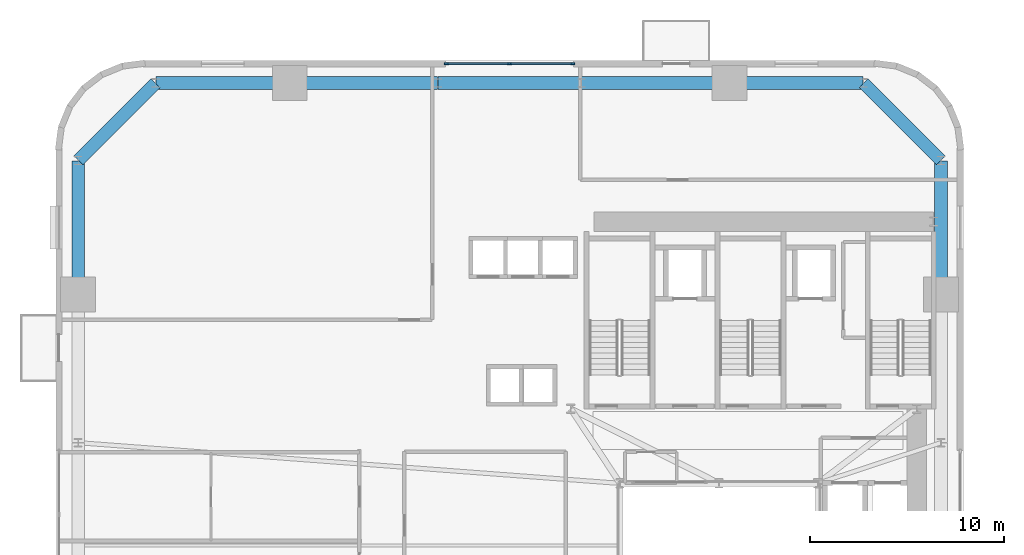
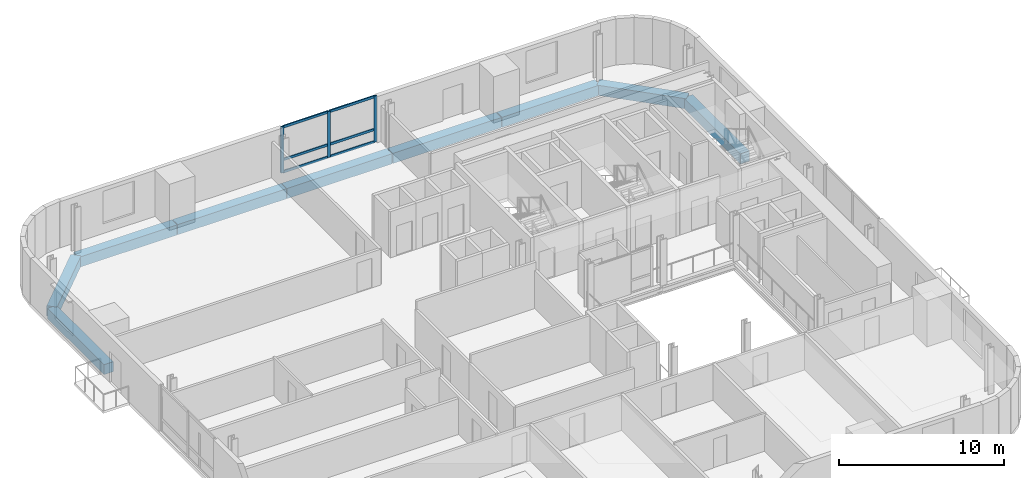
# One storey, part 4 of 13: 9 beams, 9 members, 1 element without a shape of its own.
"""IFC4 building model written with IfcOpenShell, lengths in metres."""

import ifcopenshell
import ifcopenshell.guid

model = None  # the IFC model being written
_history = None  # IfcOwnerHistory: only IFC2X3 demands one
_inside = {}  # id of a spatial element -> (the spatial element, [elements in it])
_under = {}  # id of a project, library or spatial element -> (it, [spatial elements below it])
_declared = {}  # id of a project -> (the project, [libraries it declares])
_typed = {}  # id of a type object -> (the type object, [elements of that type])
_made_of = {}  # id of a material, layer set ... -> (it, [elements and type objects made of it])


def new_model(schema):
    """Start an empty IFC model of exactly this schema.

    Asked for "IFC4X3", IfcOpenShell would pick the latest addendum, in which some entities
    have other attributes; the version numbers below select the first issue.
    IFC2X3 requires an IfcOwnerHistory on every rooted entity: one is made here for all.
    """
    global model, _history
    if schema == "IFC4X3":
        model = ifcopenshell.file(schema_version=(4, 3, 0, 0))
    else:
        model = ifcopenshell.file(schema=schema)
    _inside.clear()
    _under.clear()
    _declared.clear()
    _typed.clear()
    _made_of.clear()
    _history = None
    if model.schema == "IFC2X3":
        org = make("IfcOrganization", Name="unknown")
        user = make(
            "IfcPersonAndOrganization",
            ThePerson=make("IfcPerson", FamilyName="unknown"),
            TheOrganization=org,
        )
        app = make(
            "IfcApplication",
            ApplicationDeveloper=org,
            Version="unknown",
            ApplicationFullName="unknown",
            ApplicationIdentifier="unknown",
        )
        _history = make(
            "IfcOwnerHistory",
            OwningUser=user,
            OwningApplication=app,
            ChangeAction="ADDED",
            CreationDate=0,
        )
    return model


def make(cls, **values):
    """One entity of the class cls with the attributes given. An attribute that is None is left unset."""
    return model.create_entity(
        cls, **{name: value for name, value in values.items() if value is not None}
    )


def rooted(cls, **values):
    """An entity with a GlobalId (a new one), such as an element, a storey or a relation."""
    return make(cls, GlobalId=ifcopenshell.guid.new(), OwnerHistory=_history, **values)


def si_unit(unit_type, name, prefix=None):
    """IfcSIUnit, for example si_unit("LENGTHUNIT", "METRE", prefix="MILLI")."""
    return make("IfcSIUnit", UnitType=unit_type, Prefix=prefix, Name=name)


def assignment(units):
    """IfcUnitAssignment: the units of a project."""
    return None if units is None else make("IfcUnitAssignment", Units=units)


def point(xyz):
    """IfcCartesianPoint."""
    return None if xyz is None else make("IfcCartesianPoint", Coordinates=xyz)


def direction(xyz):
    """IfcDirection."""
    return None if xyz is None else make("IfcDirection", DirectionRatios=xyz)


def frame(location, z_axis=None, x_axis=None):
    """IfcAxis2Placement3D, a coordinate frame: its origin and axes. An axis left out is left unset."""
    return make(
        "IfcAxis2Placement3D",
        Location=point(location),
        Axis=direction(z_axis),
        RefDirection=direction(x_axis),
    )


def frame_2d(location, x_axis=None):
    """IfcAxis2Placement2D, a coordinate frame in the plane: its origin and x axis."""
    return make(
        "IfcAxis2Placement2D", Location=point(location), RefDirection=direction(x_axis)
    )


def origin():
    """The frame at (0, 0, 0) with its axes left unset."""
    return frame((0.0, 0.0, 0.0))


def origin_2d():
    """The frame at (0, 0) in the plane with its x axis left unset."""
    return frame_2d((0.0, 0.0))


def place(relative_to, where):
    """IfcLocalPlacement: puts the frame where relative to a parent placement (None: the world)."""
    return make(
        "IfcLocalPlacement", PlacementRelTo=relative_to, RelativePlacement=where
    )


def context(
    kind, dimensions, precision=None, world=None, true_north=None, identifier=None
):
    """IfcGeometricRepresentationContext, for example the 3D "Model" context."""
    return make(
        "IfcGeometricRepresentationContext",
        ContextIdentifier=identifier,
        ContextType=kind,
        CoordinateSpaceDimension=dimensions,
        Precision=precision,
        WorldCoordinateSystem=world,
        TrueNorth=true_north,
    )


def subcontext(parent, identifier, kind, view, scale=None):
    """IfcGeometricRepresentationSubContext, for example "Body" below "Model"."""
    return make(
        "IfcGeometricRepresentationSubContext",
        ContextIdentifier=identifier,
        ContextType=kind,
        ParentContext=parent,
        TargetScale=scale,
        TargetView=view,
    )


def project(units=None, contexts=None):
    """IfcProject with its units and contexts."""
    return rooted(
        "IfcProject",
        Name="project",
        RepresentationContexts=contexts,
        UnitsInContext=assignment(units),
    )


def spatial(cls, under=None, at=None, **own):
    """A site, building, storey or space (cls), placed at a placement, below another one or the project."""
    s = rooted(cls, ObjectPlacement=at, **own)
    if under is not None:
        _under.setdefault(under.id(), (under, []))[1].append(s)
    return s


def profile(cls, at=None, kind="AREA", **sizes):
    """A parametric profile (cls). Its sizes go by their IFC names, for example OverallWidth=200.0."""
    return make(cls, ProfileType=kind, Position=at, **sizes)


def rectangle(**sizes):
    """IfcRectangleProfileDef."""
    return profile("IfcRectangleProfileDef", **sizes)


def extrude(swept, where, along, depth):
    """IfcExtrudedAreaSolid: the profile swept, set in the frame where, extruded along a direction by depth."""
    return make(
        "IfcExtrudedAreaSolid",
        SweptArea=swept,
        Position=where,
        ExtrudedDirection=direction(along),
        Depth=depth,
    )


def shape(context_of_items, identifier, shape_type, items):
    """IfcShapeRepresentation: the items that make up one representation, for example the "Body"."""
    return make(
        "IfcShapeRepresentation",
        ContextOfItems=context_of_items,
        RepresentationIdentifier=identifier,
        RepresentationType=shape_type,
        Items=items,
    )


def source(mapping_origin, context_of_items, identifier, shape_type, items):
    """IfcRepresentationMap: a shape defined once, which mapped items show again and again."""
    return make(
        "IfcRepresentationMap",
        MappingOrigin=mapping_origin,
        MappedRepresentation=shape(context_of_items, identifier, shape_type, items),
    )


def transform(
    local_origin,
    x_axis=None,
    y_axis=None,
    z_axis=None,
    scale=None,
    scale2=None,
    scale3=None,
    uniform=True,
):
    """IfcCartesianTransformationOperator3D, or its non-uniform kind. x_axis, y_axis, z_axis: its Axis1, 2, 3."""
    if uniform:
        return make(
            "IfcCartesianTransformationOperator3D",
            Axis1=direction(x_axis),
            Axis2=direction(y_axis),
            LocalOrigin=point(local_origin),
            Scale=scale,
            Axis3=direction(z_axis),
        )
    return make(
        "IfcCartesianTransformationOperator3DnonUniform",
        Axis1=direction(x_axis),
        Axis2=direction(y_axis),
        LocalOrigin=point(local_origin),
        Scale=scale,
        Axis3=direction(z_axis),
        Scale2=scale2,
        Scale3=scale3,
    )


def mapped(mapping_source, mapping_target):
    """IfcMappedItem: shows the shape of a source again, moved by a transform."""
    return make(
        "IfcMappedItem", MappingSource=mapping_source, MappingTarget=mapping_target
    )


def material(Name=None, Category=None):
    """IfcMaterial."""
    return make("IfcMaterial", Name=Name, Category=Category)


def material_profile(
    of_material, cross_section, Name=None, Category=None, Priority=None
):
    """IfcMaterialProfile: a cross section and its material."""
    return make(
        "IfcMaterialProfile",
        Name=Name,
        Material=of_material,
        Profile=cross_section,
        Priority=Priority,
        Category=Category,
    )


def profile_set(profiles, Name=None, composite=None):
    """IfcMaterialProfileSet."""
    return make(
        "IfcMaterialProfileSet",
        Name=Name,
        MaterialProfiles=profiles,
        CompositeProfile=composite,
    )


def made_of(thing, what):
    """Note that an element or type object is made of a material, layer set ...; save() writes the relation."""
    if what is not None:
        _made_of.setdefault(what.id(), (what, []))[1].append(thing)
    return thing


def type_object(cls, material=None, **own):
    """A type object (cls), such as IfcWallType, which elements share."""
    return made_of(rooted(cls, **own), material)


def element(
    cls,
    number,
    at=None,
    inside=None,
    cuts=None,
    type_object=None,
    material=None,
    context=None,
    identifier="Body",
    shape_type=None,
    held_by="IfcProductDefinitionShape",
    body=None,
    shapes=None,
    **own,
):
    """One element of the class cls, such as IfcWall. Its Tag is "e" and its number.

    at: its placement. inside: the storey or other place that contains it. cuts: it is an
    opening in that element (IfcRelVoidsElement). A single representation is given by context,
    identifier, shape_type and body (its items); several are given by shapes. held_by: the class
    of the entity that holds the representations. save() writes the other relations.
    """
    e = rooted(cls, Tag="e%d" % number, ObjectPlacement=at, **own)
    if body is not None:
        shapes = [shape(context, identifier, shape_type, body)]
    if shapes is not None:
        e.Representation = make(held_by, Representations=shapes)
    if inside is not None:
        _inside.setdefault(inside.id(), (inside, []))[1].append(e)
    if cuts is not None:
        rooted(
            "IfcRelVoidsElement", RelatingBuildingElement=cuts, RelatedOpeningElement=e
        )
    if type_object is not None:
        _typed.setdefault(type_object.id(), (type_object, []))[1].append(e)
    return made_of(e, material)


def aggregate(whole, parts):
    """IfcRelAggregates: a whole, such as a stair, and the parts it consists of."""
    return rooted("IfcRelAggregates", RelatingObject=whole, RelatedObjects=parts)


def save(model, path):
    """Write the relations noted so far, then the file.

    IfcRelAggregates (storeys below a building ...), IfcRelContainedInSpatialStructure (elements
    in a storey), IfcRelDefinesByType, IfcRelAssociatesMaterial and IfcRelDeclares: one each for
    every whole, place, type object, material and project.
    """
    for whole, parts in _under.values():
        aggregate(whole, parts)
    for where, things in _inside.values():
        rooted(
            "IfcRelContainedInSpatialStructure",
            RelatedElements=things,
            RelatingStructure=where,
        )
    for kind, things in _typed.values():
        rooted("IfcRelDefinesByType", RelatedObjects=things, RelatingType=kind)
    for what, things in _made_of.values():
        rooted("IfcRelAssociatesMaterial", RelatedObjects=things, RelatingMaterial=what)
    for by, libraries in _declared.values():
        rooted("IfcRelDeclares", RelatingContext=by, RelatedDefinitions=libraries)
    model.write(path)


model = new_model("IFC4")

# Units and contexts
model_context = context("Model", 3, precision=1e-05, world=origin(), true_north=direction((0.0, 1.0)))
body_context = subcontext(model_context, "Body", "Model", "MODEL_VIEW")
ifc_project = project(units=[si_unit("LENGTHUNIT", "METRE"), si_unit("AREAUNIT", "SQUARE_METRE"), si_unit("VOLUMEUNIT", "CUBIC_METRE"), si_unit("PLANEANGLEUNIT", "RADIAN"), si_unit("MASSUNIT", "GRAM", prefix="KILO")], contexts=[model_context])

# Site, building, storey
site_placement = place(None, origin())
site = spatial("IfcSite", under=ifc_project, at=site_placement, CompositionType="ELEMENT")
building_placement = place(site_placement, origin())
building = spatial("IfcBuilding", under=site, at=building_placement, Name="Vardaveli Station Tower", CompositionType="ELEMENT")
storey_placement = place(building_placement, frame((0.0, 0.0, 31.25)))
storey = spatial("IfcBuildingStorey", under=building, at=storey_placement, Name="L07", CompositionType="ELEMENT", Elevation=31.25)

# Beams
ifc_material_1 = material(Name="Precast concrete C45/55", Category="concrete")
ifc_material_profile_1 = material_profile(ifc_material_1, rectangle(XDim=0.64990234375, YDim=0.75, at=origin_2d()), Name="LPB 650x750")
ifc_profile_set_1 = profile_set([ifc_material_profile_1], Name="Precast concrete C45/55")
beam_type = type_object("IfcBeamType", Name="BM-LPB-750", PredefinedType="BEAM", material=ifc_profile_set_1)
shared_shape_1 = source(origin(), body_context, "Body", "SweptSolid", [
    extrude(rectangle(XDim=0.64990234375, YDim=0.75, at=origin_2d()), origin(), (0.0, 0.0, 1.0), 7.60009765625),
])
for number, where, z_axis, x_axis, name in (
    (1, (36.820068359375, 47.449951171875, -0.614990234375), (-1.0, 0.0, 0.0), (0.0, -1.0, 0.0), "RBM-L07-13"),
    (2, (21.780029296875, 47.449951171875, -0.614990234375), (-1.0, 0.0, 0.0), (0.0, -1.0, 0.0), "RBM-L07-15"),
):
    element("IfcBeam", number, at=place(storey_placement, frame(where, z_axis=z_axis, x_axis=x_axis)), inside=storey, type_object=beam_type, Name=name, PredefinedType="BEAM", context=body_context, shape_type="MappedRepresentation", body=[
        mapped(shared_shape_1, transform((0.0, 0.0, 0.0), scale=1.0)),
    ])
shared_shape_2 = source(origin(), body_context, "Body", "SweptSolid", [
    extrude(rectangle(XDim=0.64990234375, YDim=0.75, at=origin_2d()), origin(), (0.0, 0.0, 1.0), 7.35986328125),
])
beam_placement = place(storey_placement, frame((29.179931640625, 47.449951171875, -0.614990234375), z_axis=(-1.0, 0.0, 0.0), x_axis=(0.0, -1.0, 0.0)))
element("IfcBeam", 3, at=beam_placement, inside=storey, type_object=beam_type, Name="RBM-L07-14", PredefinedType="BEAM", context=body_context, shape_type="MappedRepresentation", body=[
    mapped(shared_shape_2, transform((0.0, 0.0, 0.0), scale=1.0)),
])
shared_shape_3 = source(origin(), body_context, "Body", "SweptSolid", [
    extrude(rectangle(XDim=0.64990234375, YDim=0.75, at=origin_2d()), origin(), (0.0, 0.0, 1.0), 6.869873046875),
])
for number, where, z_axis, x_axis, name in (
    (4, (47.75, 36.56005859375, -0.614990234375), (0.0, 1.0, 0.0), (-1.0, 0.0, 0.0), "RBM-L07-10"),
    (5, (43.72998046875, 47.449951171875, -0.614990234375), (-1.0, 0.0, 0.0), (0.0, -1.0, 0.0), "RBM-L07-12"),
    (6, (14.139892578125, 47.449951171875, -0.614990234375), (-1.0, 0.0, 0.0), (0.0, -1.0, 0.0), "RBM-L07-16"),
    (7, (3.25, 43.429931640625, -0.614990234375), (0.0, -1.0, 0.0), (1.0, 0.0, 0.0), "RBM-L07-18"),
):
    element("IfcBeam", number, at=place(storey_placement, frame(where, z_axis=z_axis, x_axis=x_axis)), inside=storey, type_object=beam_type, Name=name, PredefinedType="BEAM", context=body_context, shape_type="MappedRepresentation", body=[
        mapped(shared_shape_3, transform((0.0, 0.0, 0.0), scale=1.0)),
    ])
shared_shape_4 = source(origin(), body_context, "Body", "SweptSolid", [
    extrude(rectangle(XDim=0.64990234375, YDim=0.75, at=origin_2d()), origin(), (0.0, 0.0, 1.0), 5.61669921875),
])
for number, where, z_axis, x_axis, name in (
    (8, (47.73583984375, 43.464111328125, -0.614990234375), (-0.707106781187, 0.707106781187, 0.0), (-0.707106781187, -0.707106781187, 0.0), "RBM-L07-11"),
    (9, (7.23583984375, 47.435791015625, -0.614990234375), (-0.707106781187, -0.707106781187, 0.0), (0.707106781187, -0.707106781187, 0.0), "RBM-L07-17"),
):
    element("IfcBeam", number, at=place(storey_placement, frame(where, z_axis=z_axis, x_axis=x_axis)), inside=storey, type_object=beam_type, Name=name, PredefinedType="BEAM", context=body_context, shape_type="MappedRepresentation", body=[
        mapped(shared_shape_4, transform((0.0, 0.0, 0.0), scale=1.0)),
    ])

# Curtain wall, members
ifc_material_2 = material(Name="Travertine stone and solar-control glass", Category="masonry")
curtain_wall_type = type_object("IfcCurtainWallType", Name="CW-SYS-2", PredefinedType="NOTDEFINED", material=ifc_material_2)
curtain_wall_placement = place(storey_placement, origin())
curtain_wall = element("IfcCurtainWall", 10, at=curtain_wall_placement, inside=storey, type_object=curtain_wall_type, Name="CW-L07-N", PredefinedType="NOTDEFINED")
ifc_material_3 = material(Name="Anodised aluminium alloy 6063-T6", Category="aluminium")
ifc_material_profile_2 = material_profile(ifc_material_3, rectangle(XDim=0.0849609375, YDim=0.219970703125, at=origin_2d()), Name="CWM 85x220")
ifc_profile_set_2 = profile_set([ifc_material_profile_2], Name="Anodised aluminium alloy 6063-T6")
member_type_1 = type_object("IfcMemberType", Name="CW-SYS-2-MULL", PredefinedType="MULLION", material=ifc_profile_set_2)
shared_shape_5 = source(origin(), body_context, "Body", "SweptSolid", [
    extrude(rectangle(XDim=0.0849609375, YDim=0.219970703125, at=origin_2d()), origin(), (0.0, 0.0, 1.0), 3.409912109375),
])
member_1_placement = place(storey_placement, frame((28.757568359375, 48.43994140625, 0.0), z_axis=(0.0, 0.0, 1.0), x_axis=(0.0, -1.0, 0.0)))
member_1 = element("IfcMember", 11, at=member_1_placement, type_object=member_type_1, Name="CW-2 mullion 1", PredefinedType="MULLION", context=body_context, shape_type="MappedRepresentation", body=[
    mapped(shared_shape_5, transform((0.0, 0.0, 0.0), scale=1.0)),
])
member_2_placement = place(storey_placement, frame((25.5, 48.43994140625, 0.0), z_axis=(0.0, 0.0, 1.0), x_axis=(0.0, -1.0, 0.0)))
member_2 = element("IfcMember", 12, at=member_2_placement, type_object=member_type_1, Name="CW-2 mullion 2", PredefinedType="MULLION", context=body_context, shape_type="MappedRepresentation", body=[
    mapped(shared_shape_5, transform((0.0, 0.0, 0.0), scale=1.0)),
])
member_3_placement = place(storey_placement, frame((22.242431640625, 48.43994140625, 0.0), z_axis=(0.0, 0.0, 1.0), x_axis=(0.0, -1.0, 0.0)))
member_3 = element("IfcMember", 13, at=member_3_placement, type_object=member_type_1, Name="CW-2 mullion 3", PredefinedType="MULLION", context=body_context, shape_type="MappedRepresentation", body=[
    mapped(shared_shape_5, transform((0.0, 0.0, 0.0), scale=1.0)),
])
ifc_material_profile_3 = material_profile(ifc_material_3, rectangle(XDim=0.0849609375, YDim=0.179931640625, at=origin_2d()), Name="CWT 85x180")
ifc_profile_set_3 = profile_set([ifc_material_profile_3], Name="Anodised aluminium alloy 6063-T6")
member_type_2 = type_object("IfcMemberType", Name="CW-SYS-2-TRAN", PredefinedType="NOTDEFINED", material=ifc_profile_set_3)
shared_shape_6 = source(origin(), body_context, "Body", "SweptSolid", [
    extrude(rectangle(XDim=0.0849609375, YDim=0.179931640625, at=origin_2d()), origin(), (0.0, 0.0, 1.0), 3.172607421875),
])
member_4_placement = place(storey_placement, frame((28.715087890625, 48.43994140625, 0.04248046875), z_axis=(-1.0, 0.0, 0.0), x_axis=(0.0, -1.0, 0.0)))
member_4 = element("IfcMember", 14, at=member_4_placement, type_object=member_type_2, Name="CW-2 transom 1.1", ObjectType="TRANSOM", PredefinedType="USERDEFINED", context=body_context, shape_type="MappedRepresentation", body=[
    mapped(shared_shape_6, transform((0.0, 0.0, 0.0), scale=1.0)),
])
member_5_placement = place(storey_placement, frame((28.715087890625, 48.43994140625, 0.949951171875), z_axis=(-1.0, 0.0, 0.0), x_axis=(0.0, -1.0, 0.0)))
member_5 = element("IfcMember", 15, at=member_5_placement, type_object=member_type_2, Name="CW-2 transom 1.2", ObjectType="TRANSOM", PredefinedType="USERDEFINED", context=body_context, shape_type="MappedRepresentation", body=[
    mapped(shared_shape_6, transform((0.0, 0.0, 0.0), scale=1.0)),
])
member_6_placement = place(storey_placement, frame((28.715087890625, 48.43994140625, 3.367431640625), z_axis=(-1.0, 0.0, 0.0), x_axis=(0.0, -1.0, 0.0)))
member_6 = element("IfcMember", 16, at=member_6_placement, type_object=member_type_2, Name="CW-2 transom 1.3", ObjectType="TRANSOM", PredefinedType="USERDEFINED", context=body_context, shape_type="MappedRepresentation", body=[
    mapped(shared_shape_6, transform((0.0, 0.0, 0.0), scale=1.0)),
])
member_7_placement = place(storey_placement, frame((25.45751953125, 48.43994140625, 0.04248046875), z_axis=(-1.0, 0.0, 0.0), x_axis=(0.0, -1.0, 0.0)))
member_7 = element("IfcMember", 17, at=member_7_placement, type_object=member_type_2, Name="CW-2 transom 2.1", ObjectType="TRANSOM", PredefinedType="USERDEFINED", context=body_context, shape_type="MappedRepresentation", body=[
    mapped(shared_shape_6, transform((0.0, 0.0, 0.0), scale=1.0)),
])
member_8_placement = place(storey_placement, frame((25.45751953125, 48.43994140625, 0.949951171875), z_axis=(-1.0, 0.0, 0.0), x_axis=(0.0, -1.0, 0.0)))
member_8 = element("IfcMember", 18, at=member_8_placement, type_object=member_type_2, Name="CW-2 transom 2.2", ObjectType="TRANSOM", PredefinedType="USERDEFINED", context=body_context, shape_type="MappedRepresentation", body=[
    mapped(shared_shape_6, transform((0.0, 0.0, 0.0), scale=1.0)),
])
member_9_placement = place(storey_placement, frame((25.45751953125, 48.43994140625, 3.367431640625), z_axis=(-1.0, 0.0, 0.0), x_axis=(0.0, -1.0, 0.0)))
member_9 = element("IfcMember", 19, at=member_9_placement, type_object=member_type_2, Name="CW-2 transom 2.3", ObjectType="TRANSOM", PredefinedType="USERDEFINED", context=body_context, shape_type="MappedRepresentation", body=[
    mapped(shared_shape_6, transform((0.0, 0.0, 0.0), scale=1.0)),
])
aggregate(curtain_wall, [member_1, member_2, member_3, member_4, member_5, member_6, member_7, member_8, member_9])

save(model, "model.ifc")
